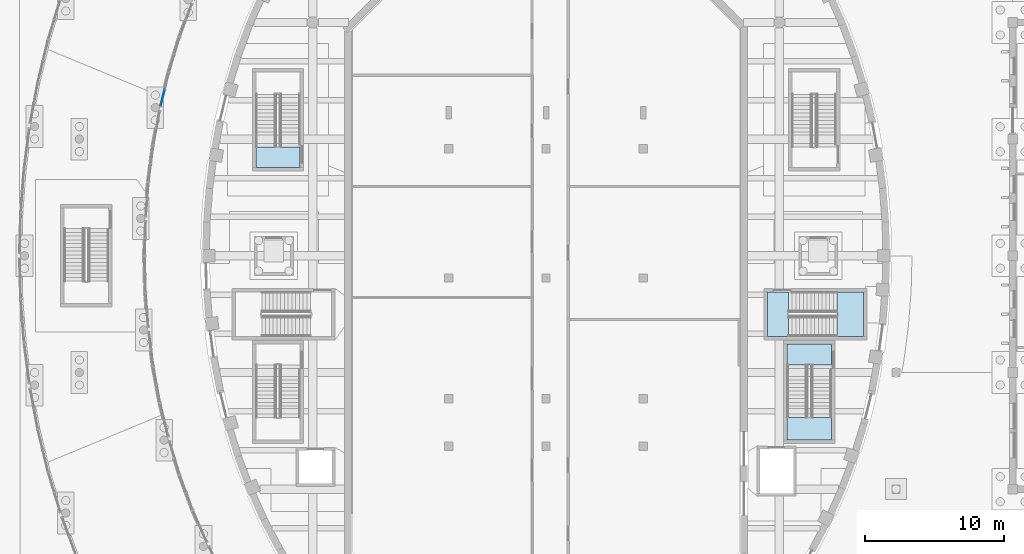
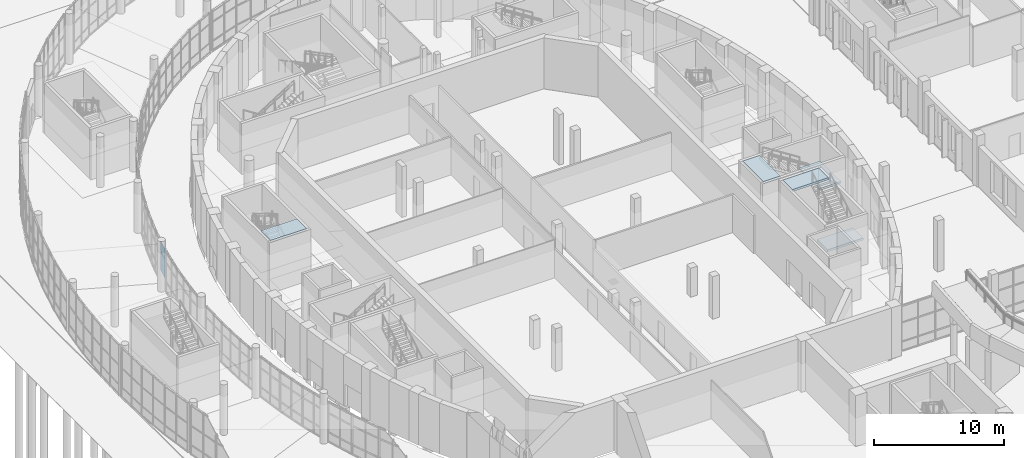
# One storey, part 45 of 110: 5 slabs, 2 plates, 4 elements without a shape of their own.
"""IFC4 building model written with IfcOpenShell, lengths in metres."""

from ifc_helpers import new_model, si_unit, direction, frame, origin, origin_2d, place, context, subcontext, project, spatial, polyline, rectangle, outline, extrude, material, layer, layer_set, type_object, element, aggregate, save


model = new_model("IFC4")

# Units and contexts
model_context = context("Model", 3, precision=1e-05, world=origin(), true_north=direction((0.0, 1.0)))
body_context = subcontext(model_context, "Body", "Model", "MODEL_VIEW")
ifc_project = project(units=[si_unit("LENGTHUNIT", "METRE"), si_unit("AREAUNIT", "SQUARE_METRE"), si_unit("VOLUMEUNIT", "CUBIC_METRE"), si_unit("PLANEANGLEUNIT", "RADIAN"), si_unit("MASSUNIT", "GRAM", prefix="KILO")], contexts=[model_context])

# Site, building, storey
site_placement = place(None, origin())
site = spatial("IfcSite", under=ifc_project, at=site_placement, CompositionType="ELEMENT")
building_placement = place(site_placement, origin())
building = spatial("IfcBuilding", under=site, at=building_placement, Name="Larchfold Concert Hall", CompositionType="ELEMENT")
storey_placement = place(building_placement, origin())
storey = spatial("IfcBuildingStorey", under=building, at=storey_placement, Name="L00", CompositionType="ELEMENT", Elevation=0.0)

# Curtain wall, plates
ifc_material_1 = material(Name="Anodised graphite aluminium curtain wall", Category="aluminium")
ifc_layer_1 = layer(ifc_material_1, 0.14990234375)
ifc_layer_set_1 = layer_set([ifc_layer_1], Name="Anodised graphite aluminium curtain wall")
curtain_wall_type = type_object("IfcCurtainWallType", Name="Curtain wall WG", PredefinedType="NOTDEFINED", material=ifc_layer_set_1)
curtain_wall_placement = place(storey_placement, origin())
curtain_wall = element("IfcCurtainWall", 1, at=curtain_wall_placement, inside=storey, type_object=curtain_wall_type, Name="Curtain wall CW0075", PredefinedType="NOTDEFINED")
ifc_material_2 = material(Name="Insulated glazing unit, glass", Category="glass")
ifc_layer_2 = layer(ifc_material_2, 0.028076171875)
ifc_layer_set_2 = layer_set([ifc_layer_2], Name="Insulated glazing unit, glass")
plate_type = type_object("IfcPlateType", Name="Glass panel 28", PredefinedType="CURTAIN_PANEL", material=ifc_layer_set_2)
plate_1_placement = place(storey_placement, frame((14.99658203125, 95.968994140625, 0.93994140625), z_axis=(0.0, 0.0, 1.0), x_axis=(0.235963339363, 0.971761957722, 0.0)))
plate_1 = element("IfcPlate", 2, at=plate_1_placement, type_object=plate_type, Name="CW0075 panel 1.2", PredefinedType="CURTAIN_PANEL", context=body_context, shape_type="SweptSolid", body=[
    extrude(rectangle(XDim=1.169677734375, YDim=0.028076171875, at=origin_2d()), origin(), (0.0, 0.0, 1.0), 1.719970703125),
])
plate_2_placement = place(storey_placement, frame((14.99658203125, 95.968994140625, 2.740234375), z_axis=(0.0, 0.0, 1.0), x_axis=(0.235963339363, 0.971761957722, 0.0)))
plate_2 = element("IfcPlate", 3, at=plate_2_placement, type_object=plate_type, Name="CW0075 panel 1.3", PredefinedType="CURTAIN_PANEL", context=body_context, shape_type="SweptSolid", body=[
    extrude(rectangle(XDim=1.169677734375, YDim=0.028076171875, at=origin_2d()), origin(), (0.0, 0.0, 1.0), 0.929931640625),
])
aggregate(curtain_wall, [plate_1, plate_2])

# Stair, slab
ifc_material_3 = material(Name="Concrete C35/45", Category="concrete")
stair_type = type_object("IfcStairType", Name="Stair RC half-turn enclosed", PredefinedType="HALF_TURN_STAIR", material=ifc_material_3)
stair_1_placement = place(storey_placement, origin())
stair_1 = element("IfcStair", 4, at=stair_1_placement, inside=storey, type_object=stair_type, Name="Stair DS4", PredefinedType="HALF_TURN_STAIR")
ifc_material_4 = material(Name="Concrete C35/45", Category="concrete")
ifc_layer_3 = layer(ifc_material_4, 0.199951171875)
ifc_layer_set_3 = layer_set([ifc_layer_3], Name="Concrete C35/45")
slab_type = type_object("IfcSlabType", Name="Stair landing RC 200", PredefinedType="LANDING", material=ifc_layer_set_3)
slab_1_placement = place(storey_placement, frame((0.0, 0.0, 4.60009765625)))
slab_1 = element("IfcSlab", 5, at=slab_1_placement, type_object=slab_type, Name="ST04 landing 2", PredefinedType="LANDING", context=body_context, shape_type="SweptSolid", body=[
    extrude(outline(polyline([(24.89990234375, 90.949951171875), (24.89990234375, 92.449951171875), (21.699951171875, 92.449951171875), (21.699951171875, 90.949951171875), (24.89990234375, 90.949951171875)])), origin(), (0.0, 0.0, 1.0), 0.199951171875),
])
aggregate(stair_1, [slab_1])

# Stair, slabs
stair_2_placement = place(storey_placement, origin())
stair_2 = element("IfcStair", 6, at=stair_2_placement, inside=storey, type_object=stair_type, Name="Stair DS6", PredefinedType="HALF_TURN_STAIR")
slab_2_placement = place(storey_placement, frame((0.0, 0.0, 2.199951171875)))
slab_2 = element("IfcSlab", 7, at=slab_2_placement, type_object=slab_type, Name="ST06 landing 1", PredefinedType="LANDING", context=body_context, shape_type="SweptSolid", body=[
    extrude(outline(polyline([(59.949951171875, 72.969970703125), (59.949951171875, 71.35009765625), (63.14990234375, 71.35009765625), (63.14990234375, 72.969970703125), (59.949951171875, 72.969970703125)])), origin(), (0.0, 0.0, 1.0), 0.199951171875),
])
slab_3_placement = place(storey_placement, frame((0.0, 0.0, 4.60009765625)))
slab_3 = element("IfcSlab", 8, at=slab_3_placement, type_object=slab_type, Name="ST06 landing 2", PredefinedType="LANDING", context=body_context, shape_type="SweptSolid", body=[
    extrude(outline(polyline([(59.949951171875, 78.25), (59.949951171875, 76.75), (63.14990234375, 76.75), (63.14990234375, 78.25), (59.949951171875, 78.25)])), origin(), (0.0, 0.0, 1.0), 0.199951171875),
])
aggregate(stair_2, [slab_2, slab_3])

stair_3_placement = place(storey_placement, origin())
stair_3 = element("IfcStair", 9, at=stair_3_placement, inside=storey, type_object=stair_type, Name="Stair DS8", PredefinedType="HALF_TURN_STAIR")
slab_4_placement = place(storey_placement, frame((0.0, 0.0, 2.199951171875)))
slab_4 = element("IfcSlab", 10, at=slab_4_placement, type_object=slab_type, Name="ST08 landing 1", PredefinedType="LANDING", context=body_context, shape_type="SweptSolid", body=[
    extrude(outline(polyline([(63.56005859375, 78.800048828125), (65.449951171875, 78.800048828125), (65.449951171875, 82.0), (63.56005859375, 82.0), (63.56005859375, 78.800048828125)])), origin(), (0.0, 0.0, 1.0), 0.199951171875),
])
slab_5_placement = place(storey_placement, frame((0.0, 0.0, 4.60009765625)))
slab_5 = element("IfcSlab", 11, at=slab_5_placement, type_object=slab_type, Name="ST08 landing 2", PredefinedType="LANDING", context=body_context, shape_type="SweptSolid", body=[
    extrude(outline(polyline([(58.550048828125, 78.800048828125), (60.050048828125, 78.800048828125), (60.050048828125, 82.0), (58.550048828125, 82.0), (58.550048828125, 78.800048828125)])), origin(), (0.0, 0.0, 1.0), 0.199951171875),
])
aggregate(stair_3, [slab_4, slab_5])

save(model, "model.ifc")
